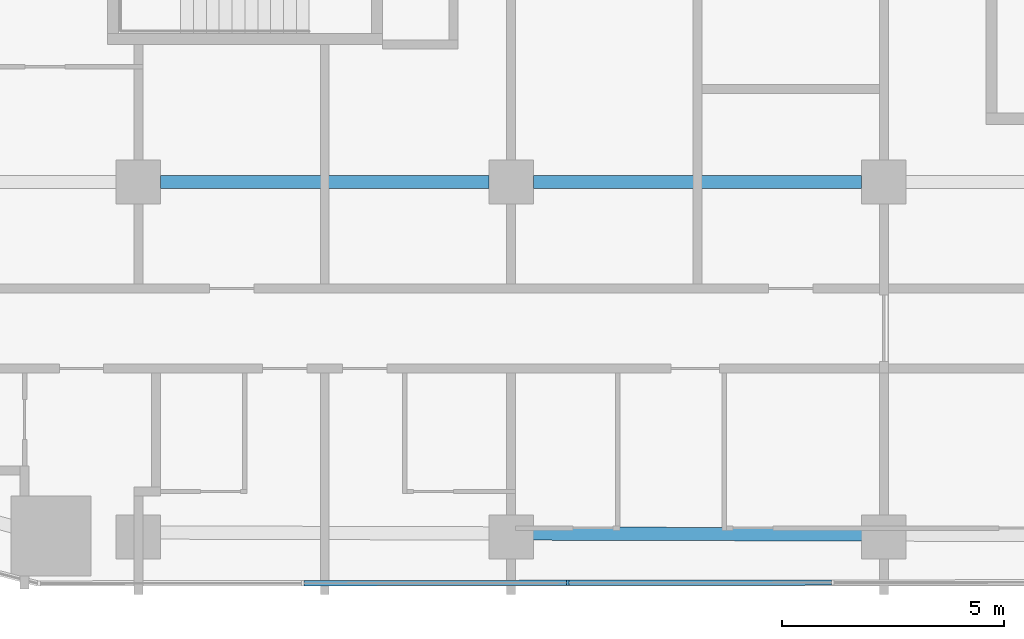
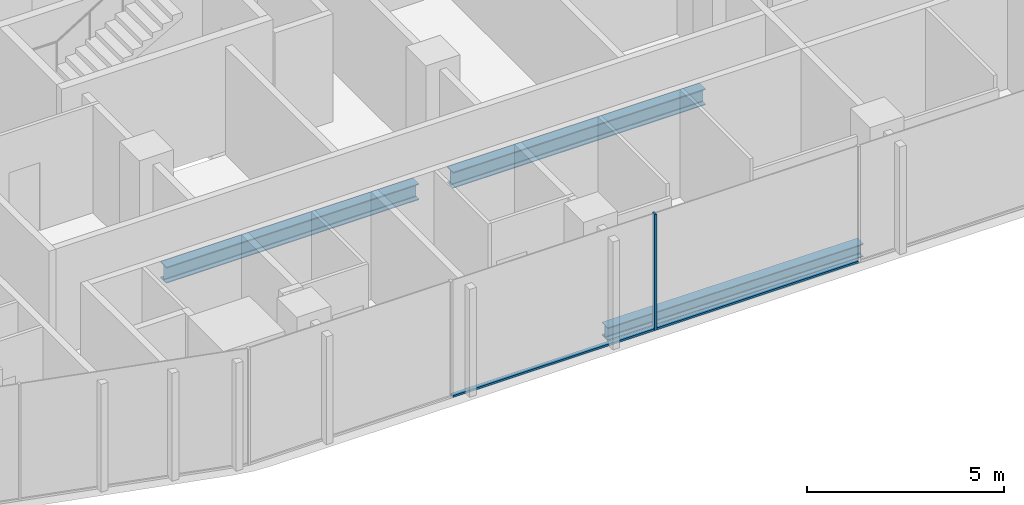
# One storey, part 3 of 26: 3 beams, 3 members, 1 element without a shape of its own.
"""IFC4 building model written with IfcOpenShell, lengths in metres."""

from ifc_helpers import new_model, si_unit, direction, frame, origin, origin_2d, place, context, subcontext, project, spatial, rectangle, i_section, extrude, material, layer, layer_set, material_profile, profile_set, type_object, element, aggregate, save


model = new_model("IFC4")

# Units and contexts
model_context = context("Model", 3, precision=1e-05, world=origin(), true_north=direction((0.0, 1.0)))
body_context = subcontext(model_context, "Body", "Model", "MODEL_VIEW")
ifc_project = project(units=[si_unit("LENGTHUNIT", "METRE"), si_unit("AREAUNIT", "SQUARE_METRE"), si_unit("VOLUMEUNIT", "CUBIC_METRE"), si_unit("PLANEANGLEUNIT", "RADIAN"), si_unit("MASSUNIT", "GRAM", prefix="KILO")], contexts=[model_context])

# Site, building, storey
site_placement = place(None, origin())
site = spatial("IfcSite", under=ifc_project, at=site_placement, CompositionType="ELEMENT")
building_placement = place(site_placement, origin())
building = spatial("IfcBuilding", under=site, at=building_placement, Name="Marenta Gate Hotel Tower", CompositionType="ELEMENT")
storey_placement = place(building_placement, frame((0.0, 0.0, 58.10009765625)))
storey = spatial("IfcBuildingStorey", under=building, at=storey_placement, Name="L12", CompositionType="ELEMENT", Elevation=58.10009765625)

# Beams
ifc_material_1 = material(Name="Steel S355", Category="steel")
ifc_material_profile_1 = material_profile(ifc_material_1, i_section(OverallWidth=0.300048828125, OverallDepth=0.39990234375, WebThickness=0.013427734375, FlangeThickness=0.02392578125, FilletRadius=0.027099609375, at=origin_2d()), Name="HEB 400")
ifc_profile_set_1 = profile_set([ifc_material_profile_1], Name="Steel S355")
beam_type_1 = type_object("IfcBeamType", Name="Edge beam HEB 400", PredefinedType="SPANDREL", material=ifc_profile_set_1)
beam_1_placement = place(storey_placement, frame((3.739990234375, -16.3427734375, -0.460205078125), z_axis=(-0.99999624158, 0.002741683018, 0.0), x_axis=(-0.002741683018, -0.99999624158, 0.0)))
element("IfcBeam", 1, at=beam_1_placement, inside=storey, type_object=beam_type_1, Name="L12-EB-33", PredefinedType="SPANDREL", context=body_context, shape_type="SweptSolid", body=[
    extrude(i_section(OverallWidth=0.300048828125, OverallDepth=0.39990234375, WebThickness=0.013427734375, FlangeThickness=0.02392578125, FilletRadius=0.027099609375, at=origin_2d()), origin(), (0.0, 0.0, 1.0), 7.47998046875),
])
ifc_material_2 = material(Name="Steel S355", Category="steel")
ifc_material_profile_2 = material_profile(ifc_material_2, i_section(OverallWidth=0.300048828125, OverallDepth=0.5, WebThickness=0.014404296875, FlangeThickness=0.028076171875, FilletRadius=0.027099609375, at=origin_2d()), Name="HEB 500")
ifc_profile_set_2 = profile_set([ifc_material_profile_2], Name="Steel S355")
beam_type_2 = type_object("IfcBeamType", Name="Girder HEB 500", PredefinedType="BEAM", material=ifc_profile_set_2)
beam_2_placement = place(storey_placement, frame((-12.10009765625, -8.39990234375, -0.510009765625), z_axis=(1.0, 0.0, 0.0), x_axis=(0.0, 1.0, 0.0)))
element("IfcBeam", 2, at=beam_2_placement, inside=storey, type_object=beam_type_2, Name="L12-GD-3", PredefinedType="BEAM", context=body_context, shape_type="SweptSolid", body=[
    extrude(i_section(OverallWidth=0.300048828125, OverallDepth=0.5, WebThickness=0.014404296875, FlangeThickness=0.028076171875, FilletRadius=0.027099609375, at=origin_2d()), origin(), (0.0, 0.0, 1.0), 7.400146484375),
])
beam_3_placement = place(storey_placement, frame((-3.699951171875, -8.39990234375, -0.510009765625), z_axis=(1.0, 0.0, 0.0), x_axis=(0.0, 1.0, 0.0)))
element("IfcBeam", 3, at=beam_3_placement, inside=storey, type_object=beam_type_2, Name="L12-GD-4", PredefinedType="BEAM", context=body_context, shape_type="SweptSolid", body=[
    extrude(i_section(OverallWidth=0.300048828125, OverallDepth=0.5, WebThickness=0.014404296875, FlangeThickness=0.028076171875, FilletRadius=0.027099609375, at=origin_2d()), origin(), (0.0, 0.0, 1.0), 7.39990234375),
])

# Curtain wall, members
ifc_material_3 = material(Name="Tinted insulated glass in bronze anodised frame", Category="glass")
ifc_layer = layer(ifc_material_3, 0.1201171875)
ifc_layer_set = layer_set([ifc_layer], Name="Tinted insulated glass in bronze anodised frame")
curtain_wall_type = type_object("IfcCurtainWallType", Name="Tower unitised curtain wall CW1", PredefinedType="NOTDEFINED", material=ifc_layer_set)
curtain_wall_placement = place(storey_placement, origin())
curtain_wall = element("IfcCurtainWall", 4, at=curtain_wall_placement, inside=storey, type_object=curtain_wall_type, Name="CW1 run G07", PredefinedType="NOTDEFINED")
ifc_material_4 = material(Name="Bronze anodised aluminium", Category="aluminium")
ifc_material_profile_3 = material_profile(ifc_material_4, rectangle(XDim=0.1201171875, YDim=0.06005859375, at=origin_2d()), Name="Mullion CW1 60x120 bronze anodised aluminium")
ifc_profile_set_3 = profile_set([ifc_material_profile_3], Name="Bronze anodised aluminium")
member_type_1 = type_object("IfcMemberType", Name="Mullion CW1 60x120 bronze anodised aluminium", PredefinedType="MULLION", material=ifc_profile_set_3)
member_1_placement = place(storey_placement, frame((-2.9248046875, -17.433837890625, 0.0), z_axis=(0.0, 0.0, 1.0), x_axis=(-0.001161921639, 0.999999324969, 0.0)))
member_1 = element("IfcMember", 5, at=member_1_placement, type_object=member_type_1, Name="CW1 mullion 3", PredefinedType="MULLION", context=body_context, shape_type="SweptSolid", body=[
    extrude(rectangle(XDim=0.1201171875, YDim=0.06005859375, at=origin_2d()), origin(), (0.0, 0.0, 1.0), 3.599853515625),
])
ifc_material_5 = material(Name="Bronze anodised aluminium", Category="aluminium")
ifc_material_profile_4 = material_profile(ifc_material_5, rectangle(XDim=0.1201171875, YDim=0.06005859375, at=origin_2d()), Name="Transom CW1 60x120 bronze anodised aluminium")
ifc_profile_set_4 = profile_set([ifc_material_profile_4], Name="Bronze anodised aluminium")
member_type_2 = type_object("IfcMemberType", Name="Transom CW1 60x120 bronze anodised aluminium", PredefinedType="USERDEFINED", material=ifc_profile_set_4)
member_2_placement = place(storey_placement, frame((-8.86767578125, -17.44091796875, 0.02978515625), z_axis=(0.999999283109, 0.001197406136, 0.0), x_axis=(-0.001197406136, 0.999999283109, 0.0)))
member_2 = element("IfcMember", 6, at=member_2_placement, type_object=member_type_2, Name="CW1 transom 2.1", ObjectType="TRANSOM", PredefinedType="USERDEFINED", context=body_context, shape_type="SweptSolid", body=[
    extrude(rectangle(XDim=0.1201171875, YDim=0.06005859375, at=origin_2d()), origin(), (0.0, 0.0, 1.0), 5.912841796875),
])
member_3_placement = place(storey_placement, frame((-2.894775390625, -17.433837890625, 0.02978515625), z_axis=(0.999999331697, 0.001156116326, 0.0), x_axis=(-0.001156116326, 0.999999331697, 0.0)))
member_3 = element("IfcMember", 7, at=member_3_placement, type_object=member_type_2, Name="CW1 transom 3.1", ObjectType="TRANSOM", PredefinedType="USERDEFINED", context=body_context, shape_type="SweptSolid", body=[
    extrude(rectangle(XDim=0.1201171875, YDim=0.06005859375, at=origin_2d()), origin(), (0.0, 0.0, 1.0), 5.912841796875),
])
aggregate(curtain_wall, [member_1, member_2, member_3])

save(model, "model.ifc")
